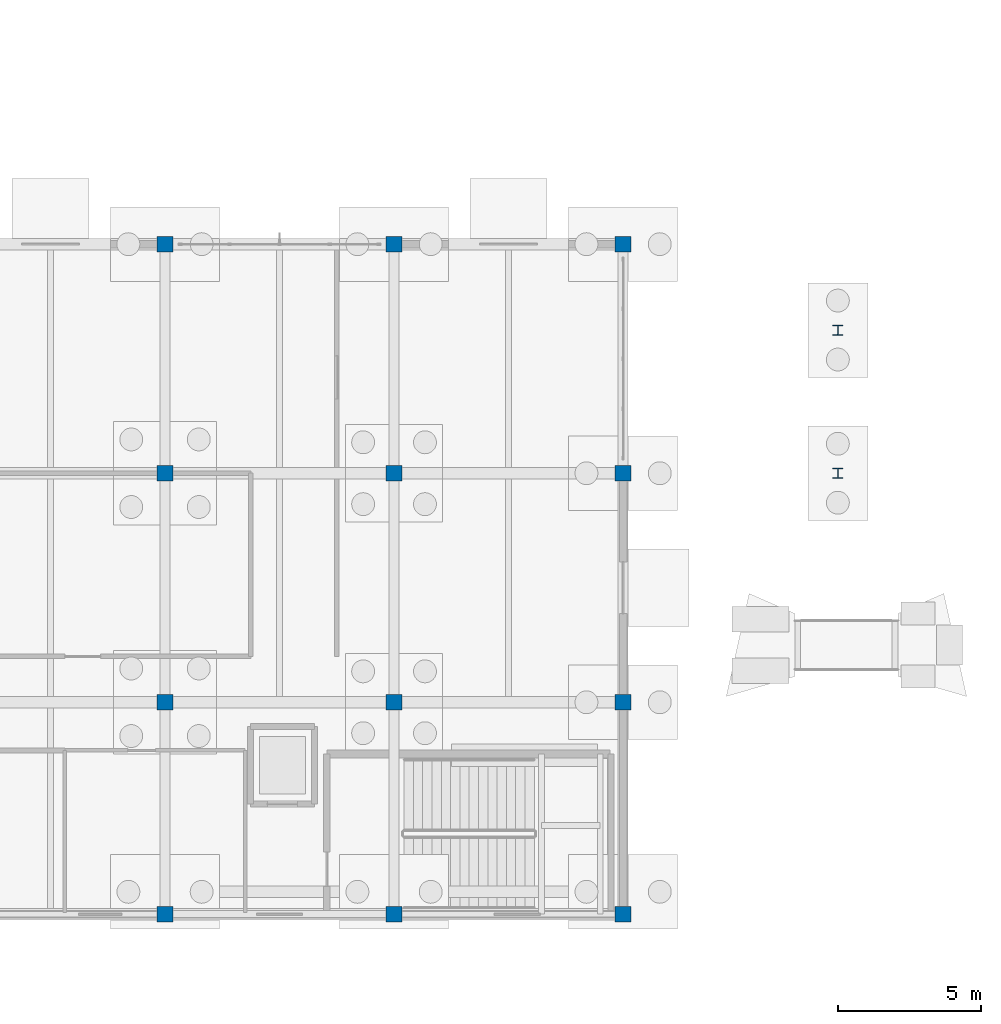
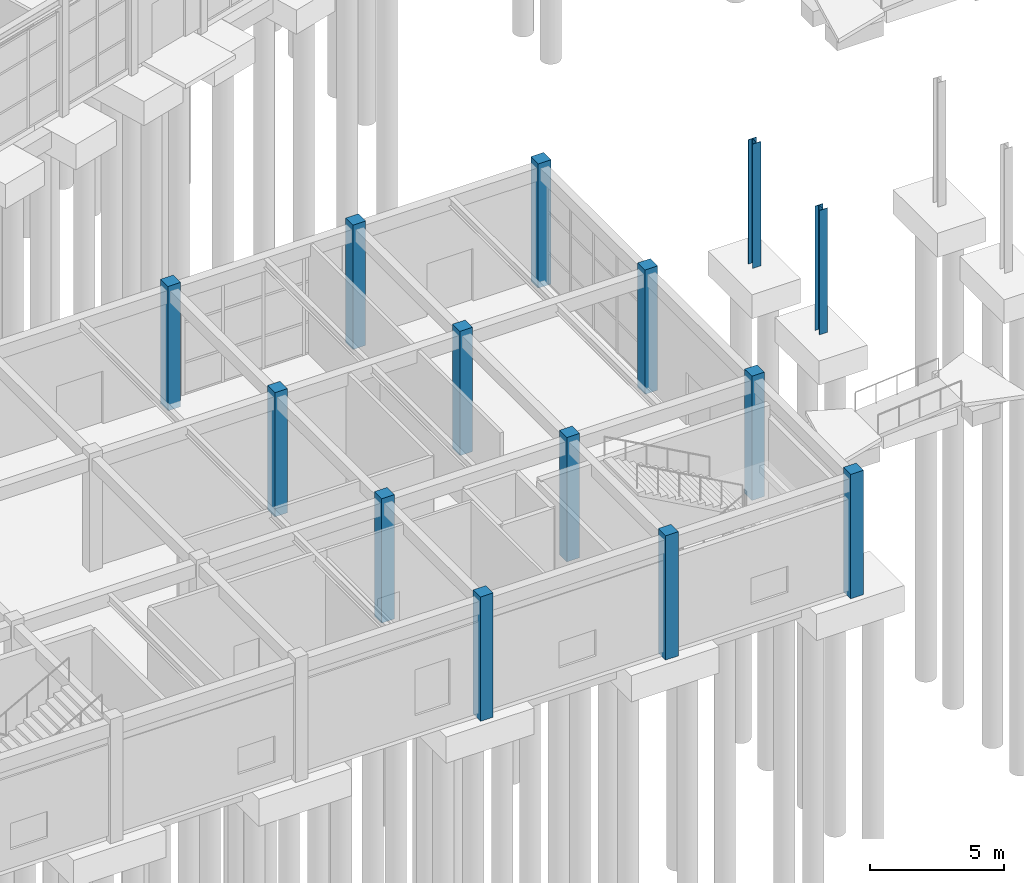
# One storey, part 6 of 90: 14 columns.
"""IFC4 building model written with IfcOpenShell, lengths in metres."""

from ifc_helpers import new_model, si_unit, direction, frame, origin, origin_2d, place, context, subcontext, project, spatial, rectangle, i_section, extrude, material, material_profile, profile_set, type_object, element, save


model = new_model("IFC4")

# Units and contexts
model_context = context("Model", 3, precision=1e-05, world=origin(), true_north=direction((0.0, 1.0)))
body_context = subcontext(model_context, "Body", "Model", "MODEL_VIEW")
ifc_project = project(units=[si_unit("LENGTHUNIT", "METRE"), si_unit("AREAUNIT", "SQUARE_METRE"), si_unit("VOLUMEUNIT", "CUBIC_METRE"), si_unit("PLANEANGLEUNIT", "RADIAN"), si_unit("MASSUNIT", "GRAM", prefix="KILO")], contexts=[model_context])

# Site, building, storey
site_placement = place(None, origin())
site = spatial("IfcSite", under=ifc_project, at=site_placement, CompositionType="ELEMENT")
building_placement = place(site_placement, origin())
building = spatial("IfcBuilding", under=site, at=building_placement, Name="Canggui Botanical Conservatory", CompositionType="ELEMENT")
storey_placement = place(building_placement, origin())
storey = spatial("IfcBuildingStorey", under=building, at=storey_placement, Name="L01", CompositionType="ELEMENT", Elevation=0.0)

# Columns
ifc_material_1 = material(Name="Steel Q355B", Category="steel")
ifc_material_profile_1 = material_profile(ifc_material_1, i_section(OverallWidth=0.35009765625, OverallDepth=0.35009765625, WebThickness=0.011962890625, FlangeThickness=0.01904296875, FilletRadius=0.02001953125, at=origin_2d()), Name="HW 350x350x12x19")
ifc_profile_set_1 = profile_set([ifc_material_profile_1], Name="Steel Q355B")
column_type_1 = type_object("IfcColumnType", Name="COL-GZ04", PredefinedType="COLUMN", material=ifc_profile_set_1)
for number, where, z_axis, x_axis, name in (
    (1, (73.5, 26.0, -0.280029296875), (0.0, 0.0, 1.0), (1.0, 0.0, 0.0), "Skybridge Portal Steel Column (73.5,26)"),
    (2, (73.5, 31.0, -0.280029296875), (0.0, 0.0, 1.0), (1.0, 0.0, 0.0), "Skybridge Portal Steel Column (73.5,31)"),
):
    element("IfcColumn", number, at=place(storey_placement, frame(where, z_axis=z_axis, x_axis=x_axis)), inside=storey, type_object=column_type_1, Name=name, PredefinedType="COLUMN", context=body_context, shape_type="SweptSolid", body=[
        extrude(i_section(OverallWidth=0.35009765625, OverallDepth=0.35009765625, WebThickness=0.011962890625, FlangeThickness=0.01904296875, FilletRadius=0.02001953125, at=origin_2d()), origin(), (0.0, 0.0, 1.0), 5.679931640625),
    ])
ifc_material_2 = material(Name="Concrete C35", Category="concrete")
ifc_material_profile_2 = material_profile(ifc_material_2, rectangle(XDim=0.550048828125, YDim=0.550048828125, at=origin_2d()), Name="RC 550x550")
ifc_profile_set_2 = profile_set([ifc_material_profile_2], Name="Concrete C35")
column_type_2 = type_object("IfcColumnType", Name="COL-KZ12", PredefinedType="COLUMN", material=ifc_profile_set_2)
for number, where, z_axis, x_axis, name in (
    (3, (50.0, 10.60009765625, -0.280029296875), (0.0, 0.0, 1.0), (1.0, 0.0, 0.0), "Visitor Centre Column L01 (50,10)"),
    (4, (50.0, 18.0, -0.280029296875), (0.0, 0.0, 1.0), (1.0, 0.0, 0.0), "Visitor Centre Column L01 (50,18)"),
    (5, (50.0, 26.0, -0.280029296875), (0.0, 0.0, 1.0), (1.0, 0.0, 0.0), "Visitor Centre Column L01 (50,26)"),
    (6, (50.0, 34.0, -0.280029296875), (0.0, 0.0, 1.0), (1.0, 0.0, 0.0), "Visitor Centre Column L01 (50,34)"),
    (7, (58.0, 10.60009765625, -0.280029296875), (0.0, 0.0, 1.0), (1.0, 0.0, 0.0), "Visitor Centre Column L01 (58,10)"),
    (8, (58.0, 18.0, -0.280029296875), (0.0, 0.0, 1.0), (1.0, 0.0, 0.0), "Visitor Centre Column L01 (58,18)"),
    (9, (58.0, 26.0, -0.280029296875), (0.0, 0.0, 1.0), (1.0, 0.0, 0.0), "Visitor Centre Column L01 (58,26)"),
    (10, (58.0, 34.0, -0.280029296875), (0.0, 0.0, 1.0), (1.0, 0.0, 0.0), "Visitor Centre Column L01 (58,34)"),
    (11, (66.0, 10.60009765625, -0.280029296875), (0.0, 0.0, 1.0), (1.0, 0.0, 0.0), "Visitor Centre Column L01 (66,10)"),
    (12, (66.0, 18.0, -0.280029296875), (0.0, 0.0, 1.0), (1.0, 0.0, 0.0), "Visitor Centre Column L01 (66,18)"),
    (13, (66.0, 26.0, -0.280029296875), (0.0, 0.0, 1.0), (1.0, 0.0, 0.0), "Visitor Centre Column L01 (66,26)"),
    (14, (66.0, 34.0, -0.280029296875), (0.0, 0.0, 1.0), (1.0, 0.0, 0.0), "Visitor Centre Column L01 (66,34)"),
):
    element("IfcColumn", number, at=place(storey_placement, frame(where, z_axis=z_axis, x_axis=x_axis)), inside=storey, type_object=column_type_2, Name=name, PredefinedType="COLUMN", context=body_context, shape_type="SweptSolid", body=[
        extrude(rectangle(XDim=0.550048828125, YDim=0.550048828125, at=origin_2d()), origin(), (0.0, 0.0, 1.0), 5.679931640625),
    ])

save(model, "model.ifc")
